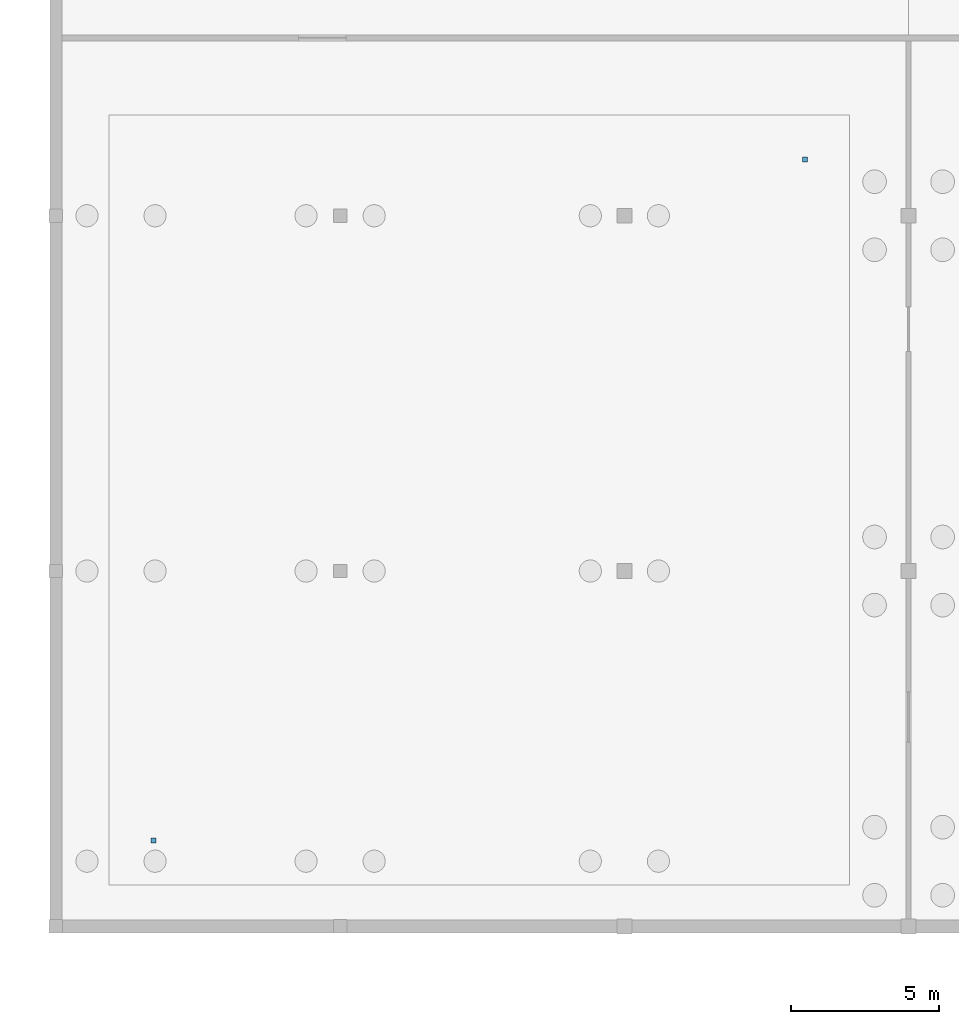
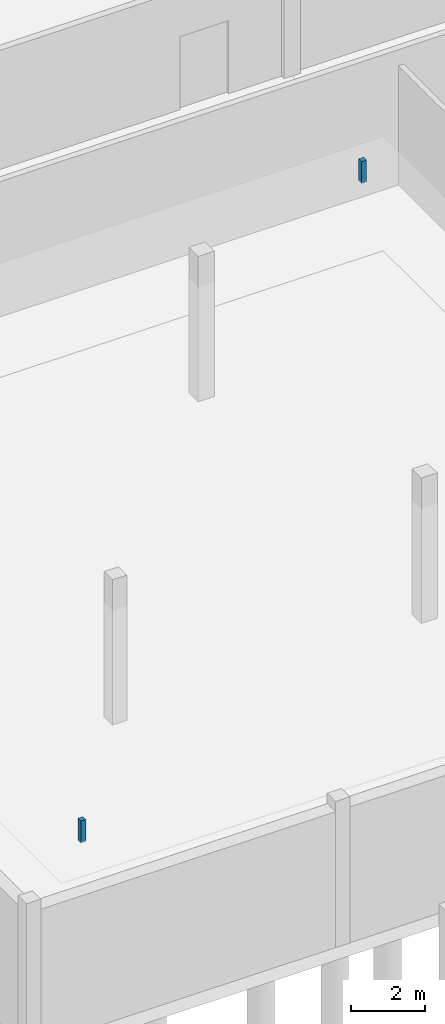
# One storey, part 29 of 31: 2 discrete accessories.
"""IFC4 building model written with IfcOpenShell, lengths in metres."""

from ifc_helpers import new_model, si_unit, direction, frame, origin, origin_2d, place, context, subcontext, project, spatial, rectangle, extrude, material, layer, layer_set, type_object, element, save


model = new_model("IFC4")

# Units and contexts
model_context = context("Model", 3, precision=1e-05, world=origin(), true_north=direction((0.0, 1.0)))
body_context = subcontext(model_context, "Body", "Model", "MODEL_VIEW")
ifc_project = project(units=[si_unit("LENGTHUNIT", "METRE"), si_unit("AREAUNIT", "SQUARE_METRE"), si_unit("VOLUMEUNIT", "CUBIC_METRE"), si_unit("PLANEANGLEUNIT", "RADIAN"), si_unit("MASSUNIT", "GRAM", prefix="KILO")], contexts=[model_context])

# Site, building, storey
site_placement = place(None, origin())
site = spatial("IfcSite", under=ifc_project, at=site_placement, CompositionType="ELEMENT")
building_placement = place(site_placement, origin())
building = spatial("IfcBuilding", under=site, at=building_placement, Name="Merenkruunu Market Hall", CompositionType="ELEMENT")
storey_placement = place(building_placement, frame((0.0, 0.0, -4.800048828125)))
storey = spatial("IfcBuildingStorey", under=building, at=storey_placement, Name="B1", CompositionType="ELEMENT", Elevation=-4.800048828125)

# Discrete accessories
ifc_material = material(Name="Brushed stainless steel", Category="steel")
ifc_layer = layer(ifc_material, 0.159912109375)
ifc_layer_set = layer_set([ifc_layer], Name="Brushed stainless steel")
discrete_accessory_type = type_object("IfcDiscreteAccessoryType", Name="Stainless Facade Support Bracket BRK01", PredefinedType="BRACKET", material=ifc_layer_set)
for number, where, z_axis, x_axis, name in (
    (1, (22.5, 54.5, 3.75), (0.0, 0.0, 1.0), (1.0, 0.0, 0.0), "ACC-CLGHNG-8-1"),
    (2, (44.5, 77.5, 3.75), (0.0, 0.0, 1.0), (1.0, 0.0, 0.0), "ACC-CLGHNG-8-2"),
):
    element("IfcDiscreteAccessory", number, at=place(storey_placement, frame(where, z_axis=z_axis, x_axis=x_axis)), inside=storey, type_object=discrete_accessory_type, Name=name, PredefinedType="BRACKET", context=body_context, shape_type="SweptSolid", body=[
        extrude(rectangle(XDim=0.159912109375, YDim=0.159912109375, at=origin_2d()), origin(), (0.0, 0.0, 1.0), 0.7099609375),
    ])

save(model, "model.ifc")
